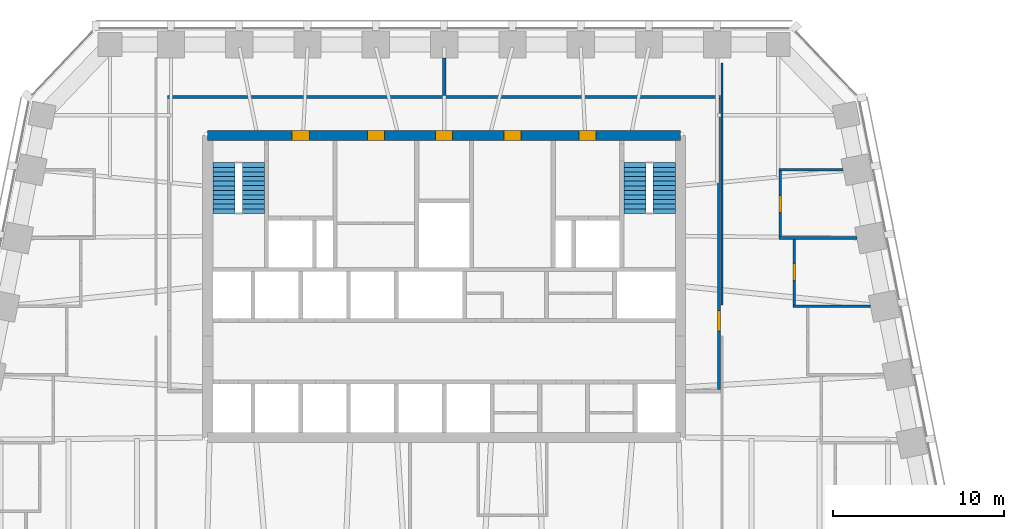
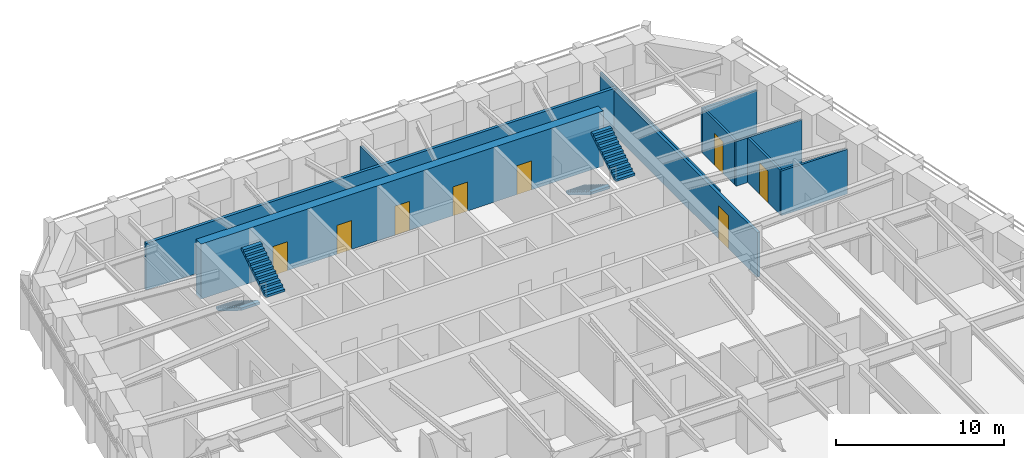
# One storey, part 8 of 10: 10 walls, 8 doors, 4 stair flights, 8 openings, 2 elements without a shape of their own.
"""IFC4 building model written with IfcOpenShell, lengths in metres."""

import ifcopenshell
import ifcopenshell.guid

model = None  # the IFC model being written
_history = None  # IfcOwnerHistory: only IFC2X3 demands one
_inside = {}  # id of a spatial element -> (the spatial element, [elements in it])
_under = {}  # id of a project, library or spatial element -> (it, [spatial elements below it])
_declared = {}  # id of a project -> (the project, [libraries it declares])
_typed = {}  # id of a type object -> (the type object, [elements of that type])
_made_of = {}  # id of a material, layer set ... -> (it, [elements and type objects made of it])


def new_model(schema):
    """Start an empty IFC model of exactly this schema.

    Asked for "IFC4X3", IfcOpenShell would pick the latest addendum, in which some entities
    have other attributes; the version numbers below select the first issue.
    IFC2X3 requires an IfcOwnerHistory on every rooted entity: one is made here for all.
    """
    global model, _history
    if schema == "IFC4X3":
        model = ifcopenshell.file(schema_version=(4, 3, 0, 0))
    else:
        model = ifcopenshell.file(schema=schema)
    _inside.clear()
    _under.clear()
    _declared.clear()
    _typed.clear()
    _made_of.clear()
    _history = None
    if model.schema == "IFC2X3":
        org = make("IfcOrganization", Name="unknown")
        user = make(
            "IfcPersonAndOrganization",
            ThePerson=make("IfcPerson", FamilyName="unknown"),
            TheOrganization=org,
        )
        app = make(
            "IfcApplication",
            ApplicationDeveloper=org,
            Version="unknown",
            ApplicationFullName="unknown",
            ApplicationIdentifier="unknown",
        )
        _history = make(
            "IfcOwnerHistory",
            OwningUser=user,
            OwningApplication=app,
            ChangeAction="ADDED",
            CreationDate=0,
        )
    return model


def make(cls, **values):
    """One entity of the class cls with the attributes given. An attribute that is None is left unset."""
    return model.create_entity(
        cls, **{name: value for name, value in values.items() if value is not None}
    )


def rooted(cls, **values):
    """An entity with a GlobalId (a new one), such as an element, a storey or a relation."""
    return make(cls, GlobalId=ifcopenshell.guid.new(), OwnerHistory=_history, **values)


def si_unit(unit_type, name, prefix=None):
    """IfcSIUnit, for example si_unit("LENGTHUNIT", "METRE", prefix="MILLI")."""
    return make("IfcSIUnit", UnitType=unit_type, Prefix=prefix, Name=name)


def assignment(units):
    """IfcUnitAssignment: the units of a project."""
    return None if units is None else make("IfcUnitAssignment", Units=units)


def point(xyz):
    """IfcCartesianPoint."""
    return None if xyz is None else make("IfcCartesianPoint", Coordinates=xyz)


def direction(xyz):
    """IfcDirection."""
    return None if xyz is None else make("IfcDirection", DirectionRatios=xyz)


def frame(location, z_axis=None, x_axis=None):
    """IfcAxis2Placement3D, a coordinate frame: its origin and axes. An axis left out is left unset."""
    return make(
        "IfcAxis2Placement3D",
        Location=point(location),
        Axis=direction(z_axis),
        RefDirection=direction(x_axis),
    )


def frame_2d(location, x_axis=None):
    """IfcAxis2Placement2D, a coordinate frame in the plane: its origin and x axis."""
    return make(
        "IfcAxis2Placement2D", Location=point(location), RefDirection=direction(x_axis)
    )


def origin():
    """The frame at (0, 0, 0) with its axes left unset."""
    return frame((0.0, 0.0, 0.0))


def place(relative_to, where):
    """IfcLocalPlacement: puts the frame where relative to a parent placement (None: the world)."""
    return make(
        "IfcLocalPlacement", PlacementRelTo=relative_to, RelativePlacement=where
    )


def context(
    kind, dimensions, precision=None, world=None, true_north=None, identifier=None
):
    """IfcGeometricRepresentationContext, for example the 3D "Model" context."""
    return make(
        "IfcGeometricRepresentationContext",
        ContextIdentifier=identifier,
        ContextType=kind,
        CoordinateSpaceDimension=dimensions,
        Precision=precision,
        WorldCoordinateSystem=world,
        TrueNorth=true_north,
    )


def subcontext(parent, identifier, kind, view, scale=None):
    """IfcGeometricRepresentationSubContext, for example "Body" below "Model"."""
    return make(
        "IfcGeometricRepresentationSubContext",
        ContextIdentifier=identifier,
        ContextType=kind,
        ParentContext=parent,
        TargetScale=scale,
        TargetView=view,
    )


def project(units=None, contexts=None):
    """IfcProject with its units and contexts."""
    return rooted(
        "IfcProject",
        Name="project",
        RepresentationContexts=contexts,
        UnitsInContext=assignment(units),
    )


def spatial(cls, under=None, at=None, **own):
    """A site, building, storey or space (cls), placed at a placement, below another one or the project."""
    s = rooted(cls, ObjectPlacement=at, **own)
    if under is not None:
        _under.setdefault(under.id(), (under, []))[1].append(s)
    return s


def polyline(points):
    """IfcPolyline through the points."""
    return make("IfcPolyline", Points=[point(p) for p in points])


def profile(cls, at=None, kind="AREA", **sizes):
    """A parametric profile (cls). Its sizes go by their IFC names, for example OverallWidth=200.0."""
    return make(cls, ProfileType=kind, Position=at, **sizes)


def rectangle(**sizes):
    """IfcRectangleProfileDef."""
    return profile("IfcRectangleProfileDef", **sizes)


def outline(outer, holes=None, kind="AREA"):
    """IfcArbitraryClosedProfileDef: a profile drawn as a closed curve; with holes, ...WithVoids."""
    if holes is None:
        return make("IfcArbitraryClosedProfileDef", ProfileType=kind, OuterCurve=outer)
    return make(
        "IfcArbitraryProfileDefWithVoids",
        ProfileType=kind,
        OuterCurve=outer,
        InnerCurves=holes,
    )


def extrude(swept, where, along, depth):
    """IfcExtrudedAreaSolid: the profile swept, set in the frame where, extruded along a direction by depth."""
    return make(
        "IfcExtrudedAreaSolid",
        SweptArea=swept,
        Position=where,
        ExtrudedDirection=direction(along),
        Depth=depth,
    )


def shape(context_of_items, identifier, shape_type, items):
    """IfcShapeRepresentation: the items that make up one representation, for example the "Body"."""
    return make(
        "IfcShapeRepresentation",
        ContextOfItems=context_of_items,
        RepresentationIdentifier=identifier,
        RepresentationType=shape_type,
        Items=items,
    )


def material(Name=None, Category=None):
    """IfcMaterial."""
    return make("IfcMaterial", Name=Name, Category=Category)


def layer(
    of_material, thickness, ventilated=None, Name=None, Category=None, Priority=None
):
    """IfcMaterialLayer: one layer of a wall or slab, of a material (None: an air gap)."""
    return make(
        "IfcMaterialLayer",
        Material=of_material,
        LayerThickness=thickness,
        IsVentilated=ventilated,
        Name=Name,
        Category=Category,
        Priority=Priority,
    )


def layer_set(layers, Name=None):
    """IfcMaterialLayerSet."""
    return make("IfcMaterialLayerSet", MaterialLayers=layers, LayerSetName=Name)


def made_of(thing, what):
    """Note that an element or type object is made of a material, layer set ...; save() writes the relation."""
    if what is not None:
        _made_of.setdefault(what.id(), (what, []))[1].append(thing)
    return thing


def type_object(cls, material=None, **own):
    """A type object (cls), such as IfcWallType, which elements share."""
    return made_of(rooted(cls, **own), material)


def element(
    cls,
    number,
    at=None,
    inside=None,
    cuts=None,
    type_object=None,
    material=None,
    context=None,
    identifier="Body",
    shape_type=None,
    held_by="IfcProductDefinitionShape",
    body=None,
    shapes=None,
    **own,
):
    """One element of the class cls, such as IfcWall. Its Tag is "e" and its number.

    at: its placement. inside: the storey or other place that contains it. cuts: it is an
    opening in that element (IfcRelVoidsElement). A single representation is given by context,
    identifier, shape_type and body (its items); several are given by shapes. held_by: the class
    of the entity that holds the representations. save() writes the other relations.
    """
    e = rooted(cls, Tag="e%d" % number, ObjectPlacement=at, **own)
    if body is not None:
        shapes = [shape(context, identifier, shape_type, body)]
    if shapes is not None:
        e.Representation = make(held_by, Representations=shapes)
    if inside is not None:
        _inside.setdefault(inside.id(), (inside, []))[1].append(e)
    if cuts is not None:
        rooted(
            "IfcRelVoidsElement", RelatingBuildingElement=cuts, RelatedOpeningElement=e
        )
    if type_object is not None:
        _typed.setdefault(type_object.id(), (type_object, []))[1].append(e)
    return made_of(e, material)


def fill(opening, filler):
    """IfcRelFillsElement: the door or window that sits in an opening."""
    return rooted(
        "IfcRelFillsElement",
        RelatingOpeningElement=opening,
        RelatedBuildingElement=filler,
    )


def aggregate(whole, parts):
    """IfcRelAggregates: a whole, such as a stair, and the parts it consists of."""
    return rooted("IfcRelAggregates", RelatingObject=whole, RelatedObjects=parts)


def save(model, path):
    """Write the relations noted so far, then the file.

    IfcRelAggregates (storeys below a building ...), IfcRelContainedInSpatialStructure (elements
    in a storey), IfcRelDefinesByType, IfcRelAssociatesMaterial and IfcRelDeclares: one each for
    every whole, place, type object, material and project.
    """
    for whole, parts in _under.values():
        aggregate(whole, parts)
    for where, things in _inside.values():
        rooted(
            "IfcRelContainedInSpatialStructure",
            RelatedElements=things,
            RelatingStructure=where,
        )
    for kind, things in _typed.values():
        rooted("IfcRelDefinesByType", RelatedObjects=things, RelatingType=kind)
    for what, things in _made_of.values():
        rooted("IfcRelAssociatesMaterial", RelatedObjects=things, RelatingMaterial=what)
    for by, libraries in _declared.values():
        rooted("IfcRelDeclares", RelatingContext=by, RelatedDefinitions=libraries)
    model.write(path)


model = new_model("IFC4")

# Units and contexts
model_context = context("Model", 3, precision=1e-05, world=origin(), true_north=direction((0.0, 1.0)))
body_context = subcontext(model_context, "Body", "Model", "MODEL_VIEW")
ifc_project = project(units=[si_unit("LENGTHUNIT", "METRE"), si_unit("AREAUNIT", "SQUARE_METRE"), si_unit("VOLUMEUNIT", "CUBIC_METRE"), si_unit("PLANEANGLEUNIT", "RADIAN"), si_unit("MASSUNIT", "GRAM", prefix="KILO")], contexts=[model_context])

# Site, building, storey
site_placement = place(None, origin())
site = spatial("IfcSite", under=ifc_project, at=site_placement, CompositionType="ELEMENT")
building_placement = place(site_placement, origin())
building = spatial("IfcBuilding", under=site, at=building_placement, Name="Isbrekke Arena Tower", CompositionType="ELEMENT")
storey_placement = place(building_placement, frame((0.0, 0.0, 190.0)))
storey = spatial("IfcBuildingStorey", under=building, at=storey_placement, Name="L43", CompositionType="ELEMENT", Elevation=190.0)

# Wall, openings, doors
ifc_material_1 = material(Name="Concrete B55 (C55/67)", Category="concrete")
ifc_layer_1 = layer(ifc_material_1, 0.60009765625)
ifc_layer_set_1 = layer_set([ifc_layer_1], Name="CW4 CORE WALL 600")
wall_type_1 = type_object("IfcWallType", Name="CW4 CORE WALL 600", PredefinedType="SHEAR", material=ifc_layer_set_1)
wall_1_placement = place(storey_placement, frame((13.85009765625, 23.85009765625, 0.0), z_axis=(0.0, 0.0, 1.0), x_axis=(-1.0, 0.0, 0.0)))
wall_1 = element("IfcWall", 1, at=wall_1_placement, inside=storey, type_object=wall_type_1, Name="Core wall N L43", PredefinedType="SHEAR", context=body_context, shape_type="SweptSolid", body=[
    extrude(rectangle(XDim=27.7001953125, YDim=0.60009765625, at=frame_2d((13.85009765625, 0.0))), origin(), (0.0, 0.0, 1.0), 4.0),
])
opening_1_placement = place(wall_1_placement, frame((21.75, 0.0, 0.0)))
opening_1 = element("IfcOpeningElement", 2, at=opening_1_placement, cuts=wall_1, Name="Opening D3", PredefinedType="OPENING", context=body_context, shape_type="SweptSolid", body=[
    extrude(rectangle(XDim=1.0, YDim=2.10009765625, at=frame_2d((0.5, 1.050048828125))), frame((0.0, 0.31494140625, 0.0), z_axis=(0.0, -1.0, 0.0), x_axis=(1.0, 0.0, 0.0)), (0.0, 0.0, 1.0), 0.6298828125),
])
opening_2_placement = place(wall_1_placement, frame((4.949951171875, 0.0, 0.0)))
opening_2 = element("IfcOpeningElement", 3, at=opening_2_placement, cuts=wall_1, Name="Opening D3", PredefinedType="OPENING", context=body_context, shape_type="SweptSolid", body=[
    extrude(rectangle(XDim=1.0, YDim=2.10009765625, at=frame_2d((0.5, 1.050048828125))), frame((0.0, 0.31494140625, 0.0), z_axis=(0.0, -1.0, 0.0), x_axis=(1.0, 0.0, 0.0)), (0.0, 0.0, 1.0), 0.6298828125),
])
opening_3_placement = place(wall_1_placement, frame((17.35009765625, 0.0, 0.0)))
opening_3 = element("IfcOpeningElement", 4, at=opening_3_placement, cuts=wall_1, Name="Opening D4", PredefinedType="OPENING", context=body_context, shape_type="SweptSolid", body=[
    extrude(rectangle(XDim=1.0, YDim=2.10009765625, at=frame_2d((0.5, 1.050048828125))), frame((0.0, 0.31494140625, 0.0), z_axis=(0.0, -1.0, 0.0), x_axis=(1.0, 0.0, 0.0)), (0.0, 0.0, 1.0), 0.6298828125),
])
opening_4_placement = place(wall_1_placement, frame((13.35009765625, 0.0, 0.0)))
opening_4 = element("IfcOpeningElement", 5, at=opening_4_placement, cuts=wall_1, Name="Opening D4", PredefinedType="OPENING", context=body_context, shape_type="SweptSolid", body=[
    extrude(rectangle(XDim=1.0, YDim=2.10009765625, at=frame_2d((0.5, 1.050048828125))), frame((0.0, 0.31494140625, 0.0), z_axis=(0.0, -1.0, 0.0), x_axis=(1.0, 0.0, 0.0)), (0.0, 0.0, 1.0), 0.6298828125),
])
opening_5_placement = place(wall_1_placement, frame((9.35009765625, 0.0, 0.0)))
opening_5 = element("IfcOpeningElement", 6, at=opening_5_placement, cuts=wall_1, Name="Opening D4", PredefinedType="OPENING", context=body_context, shape_type="SweptSolid", body=[
    extrude(rectangle(XDim=1.0, YDim=2.10009765625, at=frame_2d((0.5, 1.050048828125))), frame((0.0, 0.31494140625, 0.0), z_axis=(0.0, -1.0, 0.0), x_axis=(1.0, 0.0, 0.0)), (0.0, 0.0, 1.0), 0.6298828125),
])
ifc_material_2 = material(Name="Steel fire door", Category="steel")
door_type_1 = type_object("IfcDoorType", Name="D3 FIRE LOBBY DOOR 1000 x 2100", OperationType="SINGLE_SWING_RIGHT", PredefinedType="DOOR", material=ifc_material_2)
door_1_placement = place(opening_1_placement, origin())
door_1 = element("IfcDoor", 7, at=door_1_placement, inside=storey, type_object=door_type_1, Name="D3 fire-fighting lobby door L43", OperationType="SINGLE_SWING_RIGHT", OverallHeight=2.10009765625, OverallWidth=1.0, PredefinedType="DOOR", context=body_context, shape_type="SweptSolid", body=[
    extrude(rectangle(XDim=1.0, YDim=2.10009765625, at=frame_2d((0.5, 1.050048828125))), frame((0.0, 0.2998046875, 0.0), z_axis=(0.0, -1.0, 0.0), x_axis=(1.0, 0.0, 0.0)), (0.0, 0.0, 1.0), 0.599609375),
])
fill(opening_1, door_1)
door_2_placement = place(opening_2_placement, origin())
door_2 = element("IfcDoor", 8, at=door_2_placement, inside=storey, type_object=door_type_1, Name="D3 fire-fighting lobby door L43", OperationType="SINGLE_SWING_RIGHT", OverallHeight=2.10009765625, OverallWidth=1.0, PredefinedType="DOOR", context=body_context, shape_type="SweptSolid", body=[
    extrude(rectangle(XDim=1.0, YDim=2.10009765625, at=frame_2d((0.5, 1.050048828125))), frame((0.0, 0.2998046875, 0.0), z_axis=(0.0, -1.0, 0.0), x_axis=(1.0, 0.0, 0.0)), (0.0, 0.0, 1.0), 0.599609375),
])
fill(opening_2, door_2)
ifc_material_3 = material(Name="Timber door", Category="wood")
door_type_2 = type_object("IfcDoorType", Name="D4 WC DOOR 1000 x 2100", OperationType="SINGLE_SWING_LEFT", PredefinedType="DOOR", material=ifc_material_3)
door_3_placement = place(opening_3_placement, origin())
door_3 = element("IfcDoor", 9, at=door_3_placement, inside=storey, type_object=door_type_2, Name="D4 wc female door L43", OperationType="SINGLE_SWING_LEFT", OverallHeight=2.10009765625, OverallWidth=1.0, PredefinedType="DOOR", context=body_context, shape_type="SweptSolid", body=[
    extrude(rectangle(XDim=1.0, YDim=2.10009765625, at=frame_2d((0.5, 1.050048828125))), frame((0.0, 0.2998046875, 0.0), z_axis=(0.0, -1.0, 0.0), x_axis=(1.0, 0.0, 0.0)), (0.0, 0.0, 1.0), 0.599609375),
])
fill(opening_3, door_3)
door_4_placement = place(opening_4_placement, origin())
door_4 = element("IfcDoor", 10, at=door_4_placement, inside=storey, type_object=door_type_2, Name="D4 accessible wc door L43", OperationType="SINGLE_SWING_LEFT", OverallHeight=2.10009765625, OverallWidth=1.0, PredefinedType="DOOR", context=body_context, shape_type="SweptSolid", body=[
    extrude(rectangle(XDim=1.0, YDim=2.10009765625, at=frame_2d((0.5, 1.050048828125))), frame((0.0, 0.2998046875, 0.0), z_axis=(0.0, -1.0, 0.0), x_axis=(1.0, 0.0, 0.0)), (0.0, 0.0, 1.0), 0.599609375),
])
fill(opening_4, door_4)
door_5_placement = place(opening_5_placement, origin())
door_5 = element("IfcDoor", 11, at=door_5_placement, inside=storey, type_object=door_type_2, Name="D4 wc male door L43", OperationType="SINGLE_SWING_LEFT", OverallHeight=2.10009765625, OverallWidth=1.0, PredefinedType="DOOR", context=body_context, shape_type="SweptSolid", body=[
    extrude(rectangle(XDim=1.0, YDim=2.10009765625, at=frame_2d((0.5, 1.050048828125))), frame((0.0, 0.2998046875, 0.0), z_axis=(0.0, -1.0, 0.0), x_axis=(1.0, 0.0, 0.0)), (0.0, 0.0, 1.0), 0.599609375),
])
fill(opening_5, door_5)

# Walls
ifc_material_4 = material(Name="Gypsum board partition on steel studs", Category="steel")
ifc_layer_2 = layer(ifc_material_4, 0.14990234375)
ifc_layer_set_2 = layer_set([ifc_layer_2], Name="IW1 PARTITION 150")
wall_type_2 = type_object("IfcWallType", Name="IW1 PARTITION 150", PredefinedType="PARTITIONING", material=ifc_layer_set_2)
for number, where, z_axis, x_axis, name in (
    (12, (20.425048828125, 13.840087890625, 0.0), (0.0, 0.0, 1.0), (1.0, 0.0, 0.0), "IW1 partition 150 L43"),
    (13, (19.625, 17.840087890625, 0.0), (0.0, 0.0, 1.0), (1.0, 0.0, 0.0), "IW1 partition 150 L43"),
):
    element("IfcWall", number, at=place(storey_placement, frame(where, z_axis=z_axis, x_axis=x_axis)), inside=storey, type_object=wall_type_2, Name=name, PredefinedType="PARTITIONING", context=body_context, shape_type="SweptSolid", body=[
        extrude(rectangle(XDim=4.5498046875, YDim=0.14990234375, at=frame_2d((2.27490234375, 0.0))), origin(), (0.0, 0.0, 1.0), 3.25),
    ])
wall_2_placement = place(storey_placement, frame((19.625, 21.840087890625, 0.0), z_axis=(0.0, 0.0, 1.0), x_axis=(1.0, 0.0, 0.0)))
element("IfcWall", 14, at=wall_2_placement, inside=storey, type_object=wall_type_2, Name="IW1 partition 150 L43", PredefinedType="PARTITIONING", context=body_context, shape_type="SweptSolid", body=[
    extrude(rectangle(XDim=3.749755859375, YDim=0.14990234375, at=frame_2d((1.875, 0.0))), origin(), (0.0, 0.0, 1.0), 3.25),
])

# Wall, opening, door
wall_3_placement = place(storey_placement, frame((19.699951171875, 17.9150390625, 0.0), z_axis=(0.0, 0.0, 1.0), x_axis=(0.0, 1.0, 0.0)))
wall_3 = element("IfcWall", 15, at=wall_3_placement, inside=storey, type_object=wall_type_2, Name="IW1 partition 150 L43", PredefinedType="PARTITIONING", context=body_context, shape_type="SweptSolid", body=[
    extrude(rectangle(XDim=3.849853515625, YDim=0.14990234375, at=frame_2d((1.9248046875, 0.0))), origin(), (0.0, 0.0, 1.0), 3.25),
])
opening_6_placement = place(wall_3_placement, frame((1.425048828125, 0.0, 0.0)))
opening_6 = element("IfcOpeningElement", 16, at=opening_6_placement, cuts=wall_3, Name="Opening D10", PredefinedType="OPENING", context=body_context, shape_type="SweptSolid", body=[
    extrude(rectangle(XDim=1.0, YDim=2.300048828125, at=frame_2d((0.5, 1.14990234375))), frame((0.0, 0.08984375, 0.0), z_axis=(0.0, -1.0, 0.0), x_axis=(1.0, 0.0, 0.0)), (0.0, 0.0, 1.0), 0.1796875),
])
ifc_material_5 = material(Name="Timber door", Category="wood")
door_type_3 = type_object("IfcDoorType", Name="D10 OFFICE DOOR 1000 x 2300", OperationType="SINGLE_SWING_LEFT", PredefinedType="DOOR", material=ifc_material_5)
door_6_placement = place(opening_6_placement, origin())
door_6 = element("IfcDoor", 17, at=door_6_placement, inside=storey, type_object=door_type_3, Name="D10 office door L43", OperationType="SINGLE_SWING_LEFT", OverallHeight=2.300048828125, OverallWidth=1.0, PredefinedType="DOOR", context=body_context, shape_type="SweptSolid", body=[
    extrude(rectangle(XDim=1.0, YDim=2.300048828125, at=frame_2d((0.5, 1.14990234375))), frame((0.0, 0.07470703125, 0.0), z_axis=(0.0, -1.0, 0.0), x_axis=(1.0, 0.0, 0.0)), (0.0, 0.0, 1.0), 0.1494140625),
])
fill(opening_6, door_6)

wall_4_placement = place(storey_placement, frame((20.5, 13.9150390625, 0.0), z_axis=(0.0, 0.0, 1.0), x_axis=(0.0, 1.0, 0.0)))
wall_4 = element("IfcWall", 18, at=wall_4_placement, inside=storey, type_object=wall_type_2, Name="IW1 partition 150 L43", PredefinedType="PARTITIONING", context=body_context, shape_type="SweptSolid", body=[
    extrude(rectangle(XDim=3.849853515625, YDim=0.14990234375, at=frame_2d((1.9248046875, 0.0))), origin(), (0.0, 0.0, 1.0), 3.25),
])
opening_7_placement = place(wall_4_placement, frame((1.425048828125, 0.0, 0.0)))
opening_7 = element("IfcOpeningElement", 19, at=opening_7_placement, cuts=wall_4, Name="Opening D10", PredefinedType="OPENING", context=body_context, shape_type="SweptSolid", body=[
    extrude(rectangle(XDim=1.0, YDim=2.300048828125, at=frame_2d((0.5, 1.14990234375))), frame((0.0, 0.08984375, 0.0), z_axis=(0.0, -1.0, 0.0), x_axis=(1.0, 0.0, 0.0)), (0.0, 0.0, 1.0), 0.1796875),
])
door_7_placement = place(opening_7_placement, origin())
door_7 = element("IfcDoor", 20, at=door_7_placement, inside=storey, type_object=door_type_3, Name="D10 office door L43", OperationType="SINGLE_SWING_LEFT", OverallHeight=2.300048828125, OverallWidth=1.0, PredefinedType="DOOR", context=body_context, shape_type="SweptSolid", body=[
    extrude(rectangle(XDim=1.0, YDim=2.300048828125, at=frame_2d((0.5, 1.14990234375))), frame((0.0, 0.07470703125, 0.0), z_axis=(0.0, -1.0, 0.0), x_axis=(1.0, 0.0, 0.0)), (0.0, 0.0, 1.0), 0.1494140625),
])
fill(opening_7, door_7)

# Walls
ifc_material_6 = material(Name="Frameless glazed partition, laminated acoustic glass", Category="glass")
ifc_layer_3 = layer(ifc_material_6, 0.1201171875)
ifc_layer_set_3 = layer_set([ifc_layer_3], Name="IW2 GLAZED PARTITION 120")
wall_type_3 = type_object("IfcWallType", Name="IW2 GLAZED PARTITION 120", PredefinedType="PARTITIONING", material=ifc_layer_set_3)
wall_5_placement = place(storey_placement, frame((16.281005859375, 13.89990234375, 0.0), z_axis=(0.0, 0.0, 1.0), x_axis=(0.0, 1.0, 0.0)))
element("IfcWall", 21, at=wall_5_placement, inside=storey, type_object=wall_type_3, Name="IW2 glazed partition 120 L43", PredefinedType="PARTITIONING", context=body_context, shape_type="SweptSolid", body=[
    extrude(rectangle(XDim=14.2001953125, YDim=0.1201171875, at=frame_2d((7.10009765625, 0.0))), origin(), (0.0, 0.0, 1.0), 3.25),
])
ifc_material_7 = material(Name="Gypsum board fire-cell wall on steel studs, two layers each side", Category="steel")
ifc_layer_4 = layer(ifc_material_7, 0.199951171875)
ifc_layer_set_4 = layer_set([ifc_layer_4], Name="IW3 FIRE-CELL WALL 200")
wall_type_4 = type_object("IfcWallType", Name="IW3 FIRE-CELL WALL 200", PredefinedType="PARTITIONING", material=ifc_layer_set_4)
wall_6_placement = place(storey_placement, frame((-16.199951171875, 26.10009765625, 0.0), z_axis=(0.0, 0.0, 1.0), x_axis=(1.0, 0.0, 0.0)))
element("IfcWall", 22, at=wall_6_placement, inside=storey, type_object=wall_type_4, Name="IW3 fire-cell wall 200 L43", PredefinedType="PARTITIONING", context=body_context, shape_type="SweptSolid", body=[
    extrude(rectangle(XDim=32.39990234375, YDim=0.199951171875, at=frame_2d((16.199951171875, 0.0))), origin(), (0.0, 0.0, 1.0), 3.39990234375),
])
wall_7_placement = place(storey_placement, frame((0.0, 26.199951171875, 0.0), z_axis=(0.0, 0.0, 1.0), x_axis=(0.0, 1.0, 0.0)))
element("IfcWall", 23, at=wall_7_placement, inside=storey, type_object=wall_type_4, Name="IW3 fire-cell wall 200 L43", PredefinedType="PARTITIONING", context=body_context, shape_type="SweptSolid", body=[
    extrude(rectangle(XDim=2.175048828125, YDim=0.199951171875, at=frame_2d((1.08740234375, 0.0))), origin(), (0.0, 0.0, 1.0), 3.39990234375),
])

# Wall, opening, door
wall_8_placement = place(storey_placement, frame((16.10009765625, 8.949951171875, 0.0), z_axis=(0.0, 0.0, 1.0), x_axis=(0.0, 1.0, 0.0)))
wall_8 = element("IfcWall", 24, at=wall_8_placement, inside=storey, type_object=wall_type_4, Name="IW3 fire-cell wall 200 L43", PredefinedType="PARTITIONING", context=body_context, shape_type="SweptSolid", body=[
    extrude(rectangle(XDim=17.050048828125, YDim=0.199951171875, at=frame_2d((8.52490234375, 0.0))), origin(), (0.0, 0.0, 1.0), 3.25),
])
opening_8_placement = place(wall_8_placement, frame((3.449951171875, 0.0, 0.0)))
opening_8 = element("IfcOpeningElement", 25, at=opening_8_placement, cuts=wall_8, Name="Opening D12", PredefinedType="OPENING", context=body_context, shape_type="SweptSolid", body=[
    extrude(rectangle(XDim=1.199951171875, YDim=2.39990234375, at=frame_2d((0.60009765625, 1.199951171875))), frame((0.0, 0.11474609375, 0.0), z_axis=(0.0, -1.0, 0.0), x_axis=(1.0, 0.0, 0.0)), (0.0, 0.0, 1.0), 0.229736328125),
])
ifc_material_8 = material(Name="Timber fire door with vision panel", Category="wood")
door_type_4 = type_object("IfcDoorType", Name="D12 SUITE ENTRANCE DOOR 1200 x 2400", OperationType="SINGLE_SWING_LEFT", PredefinedType="DOOR", material=ifc_material_8)
door_8_placement = place(opening_8_placement, origin())
door_8 = element("IfcDoor", 26, at=door_8_placement, inside=storey, type_object=door_type_4, Name="D12 suite entrance E door L43", OperationType="SINGLE_SWING_LEFT", OverallHeight=2.39990234375, OverallWidth=1.199951171875, PredefinedType="DOOR", context=body_context, shape_type="SweptSolid", body=[
    extrude(rectangle(XDim=1.199951171875, YDim=2.39990234375, at=frame_2d((0.60009765625, 1.199951171875))), frame((0.0, 0.099609375, 0.0), z_axis=(0.0, -1.0, 0.0), x_axis=(1.0, 0.0, 0.0)), (0.0, 0.0, 1.0), 0.199462890625),
])
fill(opening_8, door_8)

# Stair, stair flights
ifc_material_9 = material(Name="Concrete B45 (C45/55) precast", Category="concrete")
stair_type = type_object("IfcStairType", Name="ST40 STAIR 1300 WIDE, 24 RISERS 167", PredefinedType="HALF_TURN_STAIR", material=ifc_material_9)
stair_1_placement = place(storey_placement, origin())
stair_1 = element("IfcStair", 27, at=stair_1_placement, inside=storey, type_object=stair_type, Name="ST1 stair L43", PredefinedType="HALF_TURN_STAIR")
ifc_material_10 = material(Name="Concrete B45 (C45/55) precast", Category="concrete")
stair_flight_type = type_object("IfcStairFlightType", Name="SF 1300 FLIGHT", PredefinedType="STRAIGHT", material=ifc_material_10)
stair_flight_1_placement = place(storey_placement, frame((-12.89990234375, 22.25, 0.0), z_axis=(0.0, 0.0, 1.0), x_axis=(0.0, -1.0, 0.0)))
stair_flight_1 = element("IfcStairFlight", 28, at=stair_flight_1_placement, type_object=stair_flight_type, Name="ST1 flight 1", NumberOfRisers=12, NumberOfTreads=11, PredefinedType="STRAIGHT", RiserHeight=0.166666667, TreadLength=0.27, context=body_context, shape_type="SweptSolid", body=[
    extrude(outline(polyline([(0.0, 0.0), (0.0, 0.166748046875), (0.27001953125, 0.166748046875), (0.27001953125, 0.333251953125), (0.5400390625, 0.333251953125), (0.5400390625, 0.5), (0.81005859375, 0.5), (0.81005859375, 0.666748046875), (1.080078125, 0.666748046875), (1.080078125, 0.833251953125), (1.35009765625, 0.833251953125), (1.35009765625, 1.0), (1.6201171875, 1.0), (1.6201171875, 1.166748046875), (1.889892578125, 1.166748046875), (1.889892578125, 1.333251953125), (2.159912109375, 1.333251953125), (2.159912109375, 1.5), (2.429931640625, 1.5), (2.429931640625, 1.666748046875), (2.699951171875, 1.666748046875), (2.699951171875, 1.833251953125), (2.969970703125, 1.833251953125), (2.969970703125, 2.0), (2.969970703125, 1.6572265625), (0.285400390625, 0.0), (0.0, 0.0)])), frame((0.0, 0.64990234375, 0.0), z_axis=(0.0, -1.0, 0.0), x_axis=(1.0, 0.0, 0.0)), (0.0, 0.0, 1.0), 1.300048828125),
])
stair_flight_2_placement = place(storey_placement, frame((-11.175048828125, 19.280029296875, 2.0), z_axis=(0.0, 0.0, 1.0), x_axis=(0.0, 1.0, 0.0)))
stair_flight_2 = element("IfcStairFlight", 29, at=stair_flight_2_placement, type_object=stair_flight_type, Name="ST1 flight 2", NumberOfRisers=12, NumberOfTreads=11, PredefinedType="STRAIGHT", RiserHeight=0.166666667, TreadLength=0.27, context=body_context, shape_type="SweptSolid", body=[
    extrude(outline(polyline([(0.0, 0.0), (0.0, 0.166748046875), (0.27001953125, 0.166748046875), (0.27001953125, 0.333251953125), (0.5400390625, 0.333251953125), (0.5400390625, 0.5), (0.81005859375, 0.5), (0.81005859375, 0.666748046875), (1.080078125, 0.666748046875), (1.080078125, 0.833251953125), (1.35009765625, 0.833251953125), (1.35009765625, 1.0), (1.6201171875, 1.0), (1.6201171875, 1.166748046875), (1.889892578125, 1.166748046875), (1.889892578125, 1.333251953125), (2.159912109375, 1.333251953125), (2.159912109375, 1.5), (2.429931640625, 1.5), (2.429931640625, 1.666748046875), (2.699951171875, 1.666748046875), (2.699951171875, 1.833251953125), (2.969970703125, 1.833251953125), (2.969970703125, 2.0), (2.969970703125, 1.6572265625), (0.285400390625, 0.0), (0.0, 0.0)])), frame((0.0, 0.64990234375, 0.0), z_axis=(0.0, -1.0, 0.0), x_axis=(1.0, 0.0, 0.0)), (0.0, 0.0, 1.0), 1.300048828125),
])
aggregate(stair_1, [stair_flight_1, stair_flight_2])

stair_2_placement = place(storey_placement, origin())
stair_2 = element("IfcStair", 30, at=stair_2_placement, inside=storey, type_object=stair_type, Name="ST2 stair L43", PredefinedType="HALF_TURN_STAIR")
stair_flight_3_placement = place(storey_placement, frame((11.175048828125, 22.25, 0.0), z_axis=(0.0, 0.0, 1.0), x_axis=(0.0, -1.0, 0.0)))
stair_flight_3 = element("IfcStairFlight", 31, at=stair_flight_3_placement, type_object=stair_flight_type, Name="ST2 flight 1", NumberOfRisers=12, NumberOfTreads=11, PredefinedType="STRAIGHT", RiserHeight=0.166666667, TreadLength=0.27, context=body_context, shape_type="SweptSolid", body=[
    extrude(outline(polyline([(0.0, 0.0), (0.0, 0.166748046875), (0.27001953125, 0.166748046875), (0.27001953125, 0.333251953125), (0.5400390625, 0.333251953125), (0.5400390625, 0.5), (0.81005859375, 0.5), (0.81005859375, 0.666748046875), (1.080078125, 0.666748046875), (1.080078125, 0.833251953125), (1.35009765625, 0.833251953125), (1.35009765625, 1.0), (1.6201171875, 1.0), (1.6201171875, 1.166748046875), (1.889892578125, 1.166748046875), (1.889892578125, 1.333251953125), (2.159912109375, 1.333251953125), (2.159912109375, 1.5), (2.429931640625, 1.5), (2.429931640625, 1.666748046875), (2.699951171875, 1.666748046875), (2.699951171875, 1.833251953125), (2.969970703125, 1.833251953125), (2.969970703125, 2.0), (2.969970703125, 1.6572265625), (0.285400390625, 0.0), (0.0, 0.0)])), frame((0.0, 0.64990234375, 0.0), z_axis=(0.0, -1.0, 0.0), x_axis=(1.0, 0.0, 0.0)), (0.0, 0.0, 1.0), 1.300048828125),
])
stair_flight_4_placement = place(storey_placement, frame((12.89990234375, 19.280029296875, 2.0), z_axis=(0.0, 0.0, 1.0), x_axis=(0.0, 1.0, 0.0)))
stair_flight_4 = element("IfcStairFlight", 32, at=stair_flight_4_placement, type_object=stair_flight_type, Name="ST2 flight 2", NumberOfRisers=12, NumberOfTreads=11, PredefinedType="STRAIGHT", RiserHeight=0.166666667, TreadLength=0.27, context=body_context, shape_type="SweptSolid", body=[
    extrude(outline(polyline([(0.0, 0.0), (0.0, 0.166748046875), (0.27001953125, 0.166748046875), (0.27001953125, 0.333251953125), (0.5400390625, 0.333251953125), (0.5400390625, 0.5), (0.81005859375, 0.5), (0.81005859375, 0.666748046875), (1.080078125, 0.666748046875), (1.080078125, 0.833251953125), (1.35009765625, 0.833251953125), (1.35009765625, 1.0), (1.6201171875, 1.0), (1.6201171875, 1.166748046875), (1.889892578125, 1.166748046875), (1.889892578125, 1.333251953125), (2.159912109375, 1.333251953125), (2.159912109375, 1.5), (2.429931640625, 1.5), (2.429931640625, 1.666748046875), (2.699951171875, 1.666748046875), (2.699951171875, 1.833251953125), (2.969970703125, 1.833251953125), (2.969970703125, 2.0), (2.969970703125, 1.6572265625), (0.285400390625, 0.0), (0.0, 0.0)])), frame((0.0, 0.64990234375, 0.0), z_axis=(0.0, -1.0, 0.0), x_axis=(1.0, 0.0, 0.0)), (0.0, 0.0, 1.0), 1.300048828125),
])
aggregate(stair_2, [stair_flight_3, stair_flight_4])

save(model, "model.ifc")
